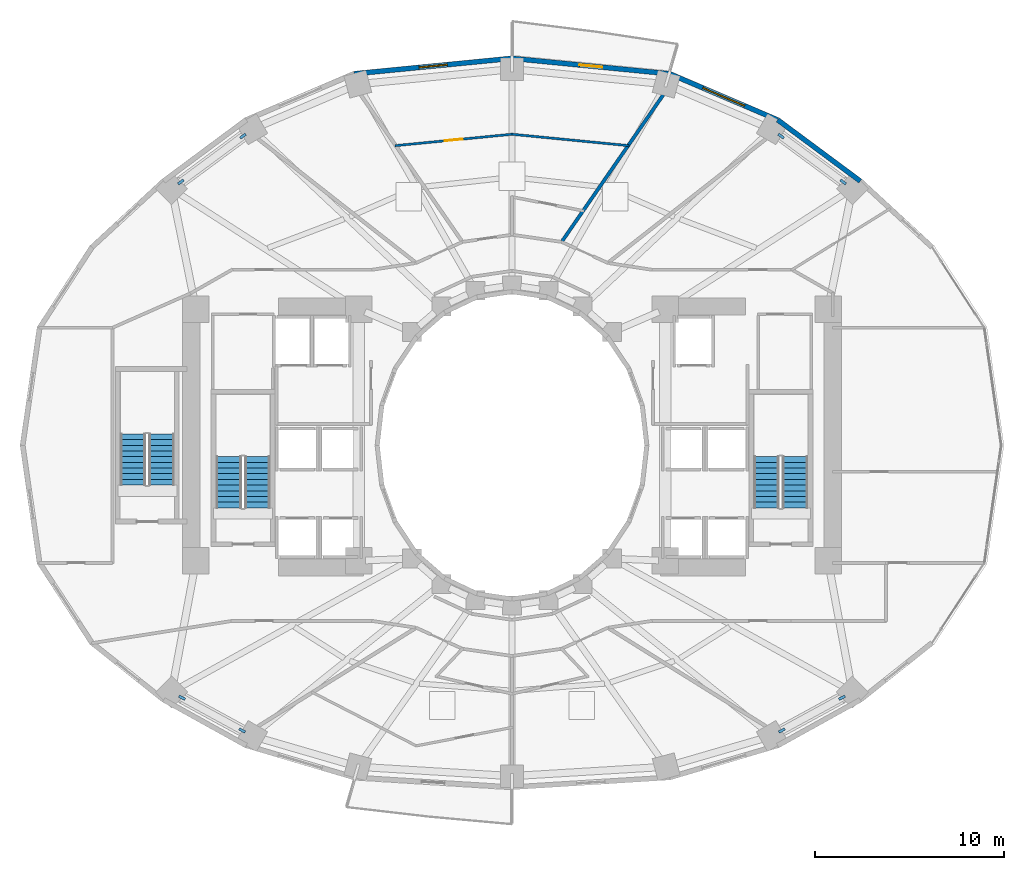
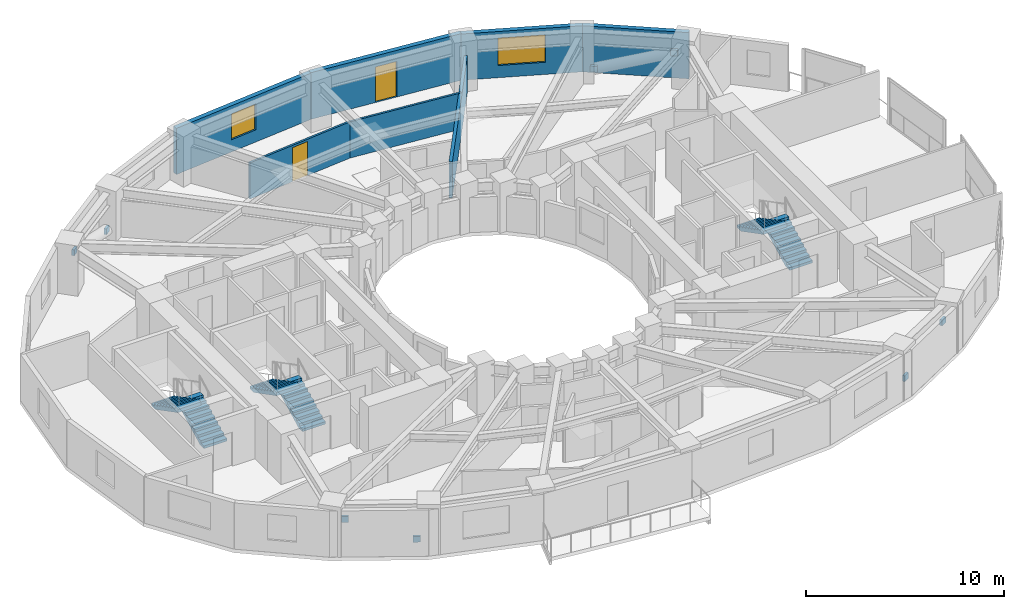
# One storey, part 11 of 14: 8 discrete accessories, 7 walls, 6 stair flights, 2 doors, 2 windows, 4 openings, 3 elements without a shape of their own.
"""IFC4 building model written with IfcOpenShell, lengths in metres."""

from ifc_helpers import new_model, si_unit, direction, frame, frame_2d, origin, origin_2d, place, context, subcontext, project, spatial, polyline, rectangle, outline, extrude, material, layer, layer_set, type_object, element, fill, aggregate, save


model = new_model("IFC4")

# Units and contexts
model_context = context("Model", 3, precision=1e-05, world=origin(), true_north=direction((0.0, 1.0)))
body_context = subcontext(model_context, "Body", "Model", "MODEL_VIEW")
ifc_project = project(units=[si_unit("LENGTHUNIT", "METRE"), si_unit("AREAUNIT", "SQUARE_METRE"), si_unit("VOLUMEUNIT", "CUBIC_METRE"), si_unit("PLANEANGLEUNIT", "RADIAN"), si_unit("MASSUNIT", "GRAM", prefix="KILO")], contexts=[model_context])

# Site, building, storey
site_placement = place(None, origin())
site = spatial("IfcSite", under=ifc_project, at=site_placement, CompositionType="ELEMENT")
building_placement = place(site_placement, origin())
building = spatial("IfcBuilding", under=site, at=building_placement, Name="Solvane Sanctuary Tower", CompositionType="ELEMENT")
storey_placement = place(building_placement, frame((0.0, 0.0, 40.0)))
storey = spatial("IfcBuildingStorey", under=building, at=storey_placement, Name="L11", CompositionType="ELEMENT", Elevation=40.0)

# Wall
ifc_material_1 = material(Name="Precast concrete C40/50", Category="concrete")
ifc_layer_1 = layer(ifc_material_1, 0.260009765625, Name="Precast concrete C40/50")
ifc_layer_set_1 = layer_set([ifc_layer_1], Name="Precast concrete C40/50")
wall_type_1 = type_object("IfcWallType", Name="Wall W-EXT-250", PredefinedType="STANDARD", material=ifc_layer_set_1)
wall_1_placement = place(storey_placement, frame((50.404541015625, 36.964599609375, 0.0), z_axis=(0.0, 0.0, 1.0), x_axis=(-0.803477531792, 0.595335078679, 0.0)))
element("IfcWall", 1, at=wall_1_placement, inside=storey, type_object=wall_type_1, Name="L11 Ceramic-Printed Facade Wall 03", PredefinedType="STANDARD", context=body_context, shape_type="SweptSolid", body=[
    extrude(rectangle(XDim=5.4296875, YDim=0.260009765625, at=frame_2d((2.71484375, 0.0))), origin(), (0.0, 0.0, 1.0), 2.85009765625),
])

# Wall, opening, window
wall_2_placement = place(storey_placement, frame((46.0419921875, 40.197021484375, 0.0), z_axis=(0.0, 0.0, 1.0), x_axis=(-0.919612132394, 0.39282760335, 0.0)))
wall_2 = element("IfcWall", 2, at=wall_2_placement, inside=storey, type_object=wall_type_1, Name="L11 Ceramic-Printed Facade Wall 04", PredefinedType="STANDARD", context=body_context, shape_type="SweptSolid", body=[
    extrude(rectangle(XDim=6.20947265625, YDim=0.260009765625, at=frame_2d((3.104736328125, 0.0))), origin(), (0.0, 0.0, 1.0), 2.85009765625),
])
opening_1_placement = place(wall_2_placement, frame((1.90478515625, 0.0, 0.75)))
opening_1 = element("IfcOpeningElement", 3, at=opening_1_placement, cuts=wall_2, Name="Opening WN-RIB-2400", PredefinedType="OPENING", context=body_context, shape_type="SweptSolid", body=[
    extrude(rectangle(XDim=2.39990234375, YDim=1.699951171875, at=frame_2d((1.199951171875, 0.85009765625))), frame((0.0, 0.139892578125, 0.0), z_axis=(0.0, -1.0, 0.0), x_axis=(1.0, 0.0, 0.0)), (0.0, 0.0, 1.0), 0.280029296875),
])
ifc_material_2 = material(Name="Dark Ceramic-Fritted Low-E Glass", Category="glass")
window_type_1 = type_object("IfcWindowType", Name="Window WN-RIB-2400", PartitioningType="SINGLE_PANEL", PredefinedType="WINDOW", material=ifc_material_2)
window_1_placement = place(opening_1_placement, origin())
window_1 = element("IfcWindow", 4, at=window_1_placement, inside=storey, type_object=window_type_1, Name="L11 Operable Facade Window 04", OverallHeight=1.699951171875, OverallWidth=2.39990234375, PartitioningType="SINGLE_PANEL", PredefinedType="WINDOW", context=body_context, shape_type="SweptSolid", body=[
    extrude(rectangle(XDim=2.39990234375, YDim=1.699951171875, at=frame_2d((1.199951171875, 0.85009765625))), frame((0.0, 0.030029296875, 0.0), z_axis=(0.0, -1.0, 0.0), x_axis=(1.0, 0.0, 0.0)), (0.0, 0.0, 1.0), 0.06005859375),
])
fill(opening_1, window_1)

# Wall, opening, door
wall_3_placement = place(storey_placement, frame((40.331787109375, 42.63623046875, 0.0), z_axis=(0.0, 0.0, 1.0), x_axis=(-0.995247718352, 0.097375454379, 0.0)))
wall_3 = element("IfcWall", 5, at=wall_3_placement, inside=storey, type_object=wall_type_1, Name="L11 Balcony Facade Wall NC", PredefinedType="STANDARD", context=body_context, shape_type="SweptSolid", body=[
    extrude(rectangle(XDim=8.37158203125, YDim=0.260009765625, at=frame_2d((4.185791015625, 0.0))), origin(), (0.0, 0.0, 1.0), 2.8798828125),
])
opening_2_placement = place(wall_3_placement, frame((3.585693359375, 0.0, 0.0)))
opening_2 = element("IfcOpeningElement", 6, at=opening_2_placement, cuts=wall_3, Name="Opening D-L11-01", PredefinedType="OPENING", context=body_context, shape_type="SweptSolid", body=[
    extrude(rectangle(XDim=1.199951171875, YDim=2.199951171875, at=frame_2d((0.60009765625, 1.10009765625))), frame((0.0, 0.139892578125, 0.0), z_axis=(0.0, -1.0, 0.0), x_axis=(1.0, 0.0, 0.0)), (0.0, 0.0, 1.0), 0.280029296875),
])
ifc_material_3 = material(Name="Anodised Aluminium 6063-T6", Category="aluminium")
door_type_1 = type_object("IfcDoorType", Name="Door D-BALC-1200", OperationType="NOTDEFINED", PredefinedType="DOOR", material=ifc_material_3)
door_1_placement = place(opening_2_placement, origin())
door_1 = element("IfcDoor", 7, at=door_1_placement, inside=storey, type_object=door_type_1, Name="L11 Glazed Balcony Door NC", OperationType="SINGLE_SWING_RIGHT", OverallHeight=2.199951171875, OverallWidth=1.199951171875, PredefinedType="DOOR", context=body_context, shape_type="SweptSolid", body=[
    extrude(rectangle(XDim=1.199951171875, YDim=2.199951171875, at=frame_2d((0.60009765625, 1.10009765625))), frame((0.0, 0.02490234375, 0.0), z_axis=(0.0, -1.0, 0.0), x_axis=(1.0, 0.0, 0.0)), (0.0, 0.0, 1.0), 0.050048828125),
])
fill(opening_2, door_1)

# Wall, opening, window
wall_4_placement = place(storey_placement, frame((32.0, 43.451416015625, 0.0), z_axis=(0.0, 0.0, 1.0), x_axis=(-0.995247718352, -0.097375454379, 0.0)))
wall_4 = element("IfcWall", 8, at=wall_4_placement, inside=storey, type_object=wall_type_1, Name="L11 Ceramic-Printed Facade Wall 06", PredefinedType="STANDARD", context=body_context, shape_type="SweptSolid", body=[
    extrude(rectangle(XDim=8.37158203125, YDim=0.260009765625, at=frame_2d((4.185791015625, 0.0))), origin(), (0.0, 0.0, 1.0), 2.85009765625),
])
opening_3_placement = place(wall_4_placement, frame((3.435791015625, 0.0, 0.75)))
opening_3 = element("IfcOpeningElement", 9, at=opening_3_placement, cuts=wall_4, Name="Opening WN-OPER-1500", PredefinedType="OPENING", context=body_context, shape_type="SweptSolid", body=[
    extrude(rectangle(XDim=1.5, YDim=1.60009765625, at=frame_2d((0.75, 0.800048828125))), frame((0.0, 0.139892578125, 0.0), z_axis=(0.0, -1.0, 0.0), x_axis=(1.0, 0.0, 0.0)), (0.0, 0.0, 1.0), 0.280029296875),
])
window_type_2 = type_object("IfcWindowType", Name="Window WN-OPER-1500", PartitioningType="SINGLE_PANEL", PredefinedType="WINDOW", material=ifc_material_2)
window_2_placement = place(opening_3_placement, origin())
window_2 = element("IfcWindow", 10, at=window_2_placement, inside=storey, type_object=window_type_2, Name="L11 Operable Facade Window 06", OverallHeight=1.60009765625, OverallWidth=1.5, PartitioningType="SINGLE_PANEL", PredefinedType="WINDOW", context=body_context, shape_type="SweptSolid", body=[
    extrude(rectangle(XDim=1.5, YDim=1.60009765625, at=frame_2d((0.75, 0.800048828125))), frame((0.0, 0.030029296875, 0.0), z_axis=(0.0, -1.0, 0.0), x_axis=(1.0, 0.0, 0.0)), (0.0, 0.0, 1.0), 0.06005859375),
])
fill(opening_3, window_2)

# Wall
ifc_material_4 = material(Name="Acoustic Gypsum Partition Board")
ifc_layer_2 = layer(ifc_material_4, 0.1201171875, Name="Acoustic Gypsum Partition Board")
ifc_layer_set_2 = layer_set([ifc_layer_2], Name="Acoustic Gypsum Partition Board")
wall_type_2 = type_object("IfcWallType", Name="Wall W-MOV-100", PredefinedType="MOVABLE", material=ifc_layer_set_2)
wall_5_placement = place(storey_placement, frame((38.189697265625, 38.835205078125, 0.0), z_axis=(0.0, 0.0, 1.0), x_axis=(-0.995257435484, 0.097276087063, 0.0)))
element("IfcWall", 11, at=wall_5_placement, inside=storey, type_object=wall_type_2, Name="L11 Suite Sitting Lounge Partition N2", PredefinedType="MOVABLE", context=body_context, shape_type="SweptSolid", body=[
    extrude(rectangle(XDim=6.229248046875, YDim=0.1201171875, at=frame_2d((3.11474609375, 0.0))), origin(), (0.0, 0.0, 1.0), 2.237060546875),
])

# Wall, opening, door
wall_6_placement = place(storey_placement, frame((32.010009765625, 39.441162109375, 0.0), z_axis=(0.0, 0.0, 1.0), x_axis=(-0.995257435484, -0.097276087063, 0.0)))
wall_6 = element("IfcWall", 12, at=wall_6_placement, inside=storey, type_object=wall_type_2, Name="L11 Suite Sitting Lounge Partition N2", PredefinedType="MOVABLE", context=body_context, shape_type="SweptSolid", body=[
    extrude(rectangle(XDim=6.229248046875, YDim=0.1201171875, at=frame_2d((3.11474609375, 0.0))), origin(), (0.0, 0.0, 1.0), 2.237060546875),
])
opening_4_placement = place(wall_6_placement, frame((2.6396484375, 0.0, 0.0)))
opening_4 = element("IfcOpeningElement", 13, at=opening_4_placement, cuts=wall_6, Name="Opening D-L11-19", PredefinedType="OPENING", context=body_context, shape_type="SweptSolid", body=[
    extrude(rectangle(XDim=0.949951171875, YDim=2.10009765625, at=frame_2d((0.47509765625, 1.050048828125))), frame((0.0, 0.070068359375, 0.0), z_axis=(0.0, -1.0, 0.0), x_axis=(1.0, 0.0, 0.0)), (0.0, 0.0, 1.0), 0.14013671875),
])
ifc_material_5 = material(Name="Engineered Tropical Hardwood", Category="wood")
door_type_2 = type_object("IfcDoorType", Name="Door D-ROOM-950", OperationType="NOTDEFINED", PredefinedType="DOOR", material=ifc_material_5)
door_2_placement = place(opening_4_placement, origin())
door_2 = element("IfcDoor", 14, at=door_2_placement, inside=storey, type_object=door_type_2, Name="L11 Suite Sitting Lounge Door N2", OperationType="SINGLE_SWING_LEFT", OverallHeight=2.10009765625, OverallWidth=0.949951171875, PredefinedType="DOOR", context=body_context, shape_type="SweptSolid", body=[
    extrude(rectangle(XDim=0.949951171875, YDim=2.10009765625, at=frame_2d((0.47509765625, 1.050048828125))), frame((0.0, 0.02490234375, 0.0), z_axis=(0.0, -1.0, 0.0), x_axis=(1.0, 0.0, 0.0)), (0.0, 0.0, 1.0), 0.050048828125),
])
fill(opening_4, door_2)

# Wall
ifc_layer_3 = layer(ifc_material_4, 0.179931640625, Name="Acoustic Gypsum Partition Board")
ifc_layer_set_3 = layer_set([ifc_layer_3], Name="Acoustic Gypsum Partition Board")
wall_type_3 = type_object("IfcWallType", Name="Wall W-UNIT-180", PredefinedType="PARTITIONING", material=ifc_layer_set_3)
wall_7_placement = place(storey_placement, frame((34.653076171875, 33.7958984375, 0.0), z_axis=(0.0, 0.0, 1.0), x_axis=(0.568631434817, 0.822592421153, 0.0)))
element("IfcWall", 15, at=wall_7_placement, inside=storey, type_object=wall_type_3, Name="L11 Radial Compartment Wall 075", PredefinedType="PARTITIONING", context=body_context, shape_type="SweptSolid", body=[
    extrude(rectangle(XDim=9.39404296875, YDim=0.179931640625, at=frame_2d((4.697021484375, 0.0))), origin(), (0.0, 0.0, 1.0), 2.237060546875),
])

# Stair, stair flights
ifc_material_6 = material(Name="Concrete C45/55", Category="concrete")
stair_type = type_object("IfcStairType", Name="Stair ST-TOW", PredefinedType="HALF_TURN_STAIR", material=ifc_material_6)
stair_1_placement = place(storey_placement, origin())
stair_1 = element("IfcStair", 16, at=stair_1_placement, inside=storey, type_object=stair_type, Name="L11 Exit Stair ST-1 West Core", PredefinedType="HALF_TURN_STAIR")
stair_flight_type = type_object("IfcStairFlightType", Name="StairFlight SF-TOW", PredefinedType="STRAIGHT", material=ifc_material_6)
stair_flight_1_placement = place(storey_placement, frame((18.544921875, 19.699951171875, 0.0), z_axis=(0.0, 0.0, 1.0), x_axis=(0.0, 1.0, 0.0)))
stair_flight_1 = element("IfcStairFlight", 17, at=stair_flight_1_placement, type_object=stair_flight_type, Name="ST-1 flight 1", NumberOfRisers=10, NumberOfTreads=9, PredefinedType="STRAIGHT", RiserHeight=0.155, TreadLength=0.3, context=body_context, shape_type="SweptSolid", body=[
    extrude(outline(polyline([(0.0, 0.0), (0.0, 0.155029296875), (0.300048828125, 0.155029296875), (0.300048828125, 0.31005859375), (0.60009765625, 0.31005859375), (0.60009765625, 0.465087890625), (0.89990234375, 0.465087890625), (0.89990234375, 0.6201171875), (1.199951171875, 0.6201171875), (1.199951171875, 0.77490234375), (1.5, 0.77490234375), (1.5, 0.929931640625), (1.800048828125, 0.929931640625), (1.800048828125, 1.0849609375), (2.10009765625, 1.0849609375), (2.10009765625, 1.239990234375), (2.39990234375, 1.239990234375), (2.39990234375, 1.39501953125), (2.699951171875, 1.39501953125), (2.699951171875, 1.550048828125), (2.699951171875, 1.1923828125), (0.39208984375, 0.0), (0.0, 0.0)])), frame((0.0, 0.675048828125, 0.0), z_axis=(0.0, -1.0, 0.0), x_axis=(1.0, 0.0, 0.0)), (0.0, 0.0, 1.0), 1.35009765625),
])
stair_flight_2_placement = place(storey_placement, frame((17.034912109375, 22.39990234375, 1.550048828125), z_axis=(0.0, 0.0, 1.0), x_axis=(0.0, -1.0, 0.0)))
stair_flight_2 = element("IfcStairFlight", 18, at=stair_flight_2_placement, type_object=stair_flight_type, Name="ST-1 flight 2", NumberOfRisers=10, NumberOfTreads=9, PredefinedType="STRAIGHT", RiserHeight=0.155, TreadLength=0.3, context=body_context, shape_type="SweptSolid", body=[
    extrude(outline(polyline([(0.0, 0.0), (0.0, 0.155029296875), (0.300048828125, 0.155029296875), (0.300048828125, 0.31005859375), (0.60009765625, 0.31005859375), (0.60009765625, 0.465087890625), (0.89990234375, 0.465087890625), (0.89990234375, 0.6201171875), (1.199951171875, 0.6201171875), (1.199951171875, 0.77490234375), (1.5, 0.77490234375), (1.5, 0.929931640625), (1.800048828125, 0.929931640625), (1.800048828125, 1.0849609375), (2.10009765625, 1.0849609375), (2.10009765625, 1.239990234375), (2.39990234375, 1.239990234375), (2.39990234375, 1.39501953125), (2.699951171875, 1.39501953125), (2.699951171875, 1.550048828125), (2.699951171875, 1.1923828125), (0.39208984375, 0.0), (0.0, 0.0)])), frame((0.0, 0.675048828125, 0.0), z_axis=(0.0, -1.0, 0.0), x_axis=(1.0, 0.0, 0.0)), (0.0, 0.0, 1.0), 1.35009765625),
])
aggregate(stair_1, [stair_flight_1, stair_flight_2])

stair_2_placement = place(storey_placement, origin())
stair_2 = element("IfcStair", 19, at=stair_2_placement, inside=storey, type_object=stair_type, Name="L11 Exit Stair ST-2 East Core", PredefinedType="HALF_TURN_STAIR")
stair_flight_3_placement = place(storey_placement, frame((46.965087890625, 19.699951171875, 0.0), z_axis=(0.0, 0.0, 1.0), x_axis=(0.0, 1.0, 0.0)))
stair_flight_3 = element("IfcStairFlight", 20, at=stair_flight_3_placement, type_object=stair_flight_type, Name="ST-2 flight 1", NumberOfRisers=10, NumberOfTreads=9, PredefinedType="STRAIGHT", RiserHeight=0.155, TreadLength=0.3, context=body_context, shape_type="SweptSolid", body=[
    extrude(outline(polyline([(0.0, 0.0), (0.0, 0.155029296875), (0.300048828125, 0.155029296875), (0.300048828125, 0.31005859375), (0.60009765625, 0.31005859375), (0.60009765625, 0.465087890625), (0.89990234375, 0.465087890625), (0.89990234375, 0.6201171875), (1.199951171875, 0.6201171875), (1.199951171875, 0.77490234375), (1.5, 0.77490234375), (1.5, 0.929931640625), (1.800048828125, 0.929931640625), (1.800048828125, 1.0849609375), (2.10009765625, 1.0849609375), (2.10009765625, 1.239990234375), (2.39990234375, 1.239990234375), (2.39990234375, 1.39501953125), (2.699951171875, 1.39501953125), (2.699951171875, 1.550048828125), (2.699951171875, 1.1923828125), (0.39208984375, 0.0), (0.0, 0.0)])), frame((0.0, 0.675048828125, 0.0), z_axis=(0.0, -1.0, 0.0), x_axis=(1.0, 0.0, 0.0)), (0.0, 0.0, 1.0), 1.35009765625),
])
stair_flight_4_placement = place(storey_placement, frame((45.455078125, 22.39990234375, 1.550048828125), z_axis=(0.0, 0.0, 1.0), x_axis=(0.0, -1.0, 0.0)))
stair_flight_4 = element("IfcStairFlight", 21, at=stair_flight_4_placement, type_object=stair_flight_type, Name="ST-2 flight 2", NumberOfRisers=10, NumberOfTreads=9, PredefinedType="STRAIGHT", RiserHeight=0.155, TreadLength=0.3, context=body_context, shape_type="SweptSolid", body=[
    extrude(outline(polyline([(0.0, 0.0), (0.0, 0.155029296875), (0.300048828125, 0.155029296875), (0.300048828125, 0.31005859375), (0.60009765625, 0.31005859375), (0.60009765625, 0.465087890625), (0.89990234375, 0.465087890625), (0.89990234375, 0.6201171875), (1.199951171875, 0.6201171875), (1.199951171875, 0.77490234375), (1.5, 0.77490234375), (1.5, 0.929931640625), (1.800048828125, 0.929931640625), (1.800048828125, 1.0849609375), (2.10009765625, 1.0849609375), (2.10009765625, 1.239990234375), (2.39990234375, 1.239990234375), (2.39990234375, 1.39501953125), (2.699951171875, 1.39501953125), (2.699951171875, 1.550048828125), (2.699951171875, 1.1923828125), (0.39208984375, 0.0), (0.0, 0.0)])), frame((0.0, 0.675048828125, 0.0), z_axis=(0.0, -1.0, 0.0), x_axis=(1.0, 0.0, 0.0)), (0.0, 0.0, 1.0), 1.35009765625),
])
aggregate(stair_2, [stair_flight_3, stair_flight_4])

stair_3_placement = place(storey_placement, origin())
stair_3 = element("IfcStair", 22, at=stair_3_placement, inside=storey, type_object=stair_type, Name="L11 Exit Stair ST-3 Pilgrim Tower Stair", PredefinedType="HALF_TURN_STAIR")
stair_flight_5_placement = place(storey_placement, frame((13.485107421875, 20.89990234375, 0.0), z_axis=(0.0, 0.0, 1.0), x_axis=(0.0, 1.0, 0.0)))
stair_flight_5 = element("IfcStairFlight", 23, at=stair_flight_5_placement, type_object=stair_flight_type, Name="ST-3 flight 1", NumberOfRisers=10, NumberOfTreads=9, PredefinedType="STRAIGHT", RiserHeight=0.155, TreadLength=0.3, context=body_context, shape_type="SweptSolid", body=[
    extrude(outline(polyline([(0.0, 0.0), (0.0, 0.155029296875), (0.300048828125, 0.155029296875), (0.300048828125, 0.31005859375), (0.60009765625, 0.31005859375), (0.60009765625, 0.465087890625), (0.89990234375, 0.465087890625), (0.89990234375, 0.6201171875), (1.199951171875, 0.6201171875), (1.199951171875, 0.77490234375), (1.5, 0.77490234375), (1.5, 0.929931640625), (1.800048828125, 0.929931640625), (1.800048828125, 1.0849609375), (2.10009765625, 1.0849609375), (2.10009765625, 1.239990234375), (2.39990234375, 1.239990234375), (2.39990234375, 1.39501953125), (2.699951171875, 1.39501953125), (2.699951171875, 1.550048828125), (2.699951171875, 1.1923828125), (0.39208984375, 0.0), (0.0, 0.0)])), frame((0.0, 0.675048828125, 0.0), z_axis=(0.0, -1.0, 0.0), x_axis=(1.0, 0.0, 0.0)), (0.0, 0.0, 1.0), 1.35009765625),
])
stair_flight_6_placement = place(storey_placement, frame((11.97509765625, 23.60009765625, 1.550048828125), z_axis=(0.0, 0.0, 1.0), x_axis=(0.0, -1.0, 0.0)))
stair_flight_6 = element("IfcStairFlight", 24, at=stair_flight_6_placement, type_object=stair_flight_type, Name="ST-3 flight 2", NumberOfRisers=10, NumberOfTreads=9, PredefinedType="STRAIGHT", RiserHeight=0.155, TreadLength=0.3, context=body_context, shape_type="SweptSolid", body=[
    extrude(outline(polyline([(0.0, 0.0), (0.0, 0.155029296875), (0.300048828125, 0.155029296875), (0.300048828125, 0.31005859375), (0.60009765625, 0.31005859375), (0.60009765625, 0.465087890625), (0.89990234375, 0.465087890625), (0.89990234375, 0.6201171875), (1.199951171875, 0.6201171875), (1.199951171875, 0.77490234375), (1.5, 0.77490234375), (1.5, 0.929931640625), (1.800048828125, 0.929931640625), (1.800048828125, 1.0849609375), (2.10009765625, 1.0849609375), (2.10009765625, 1.239990234375), (2.39990234375, 1.239990234375), (2.39990234375, 1.39501953125), (2.699951171875, 1.39501953125), (2.699951171875, 1.550048828125), (2.699951171875, 1.1923828125), (0.39208984375, 0.0), (0.0, 0.0)])), frame((0.0, 0.675048828125, 0.0), z_axis=(0.0, -1.0, 0.0), x_axis=(1.0, 0.0, 0.0)), (0.0, 0.0, 1.0), 1.35009765625),
])
aggregate(stair_3, [stair_flight_5, stair_flight_6])

# Discrete accessories
ifc_material_7 = material(Name="Steel ASTM A572 Grade 50", Category="steel")
ifc_layer_4 = layer(ifc_material_7, 0.360107421875, Name="Steel ASTM A572 Grade 50")
ifc_layer_set_4 = layer_set([ifc_layer_4], Name="Steel ASTM A572 Grade 50")
discrete_accessory_type = type_object("IfcDiscreteAccessoryType", Name="Accessory ACC-GUSSET-BRK", PredefinedType="BRACKET", material=ifc_layer_set_4)
for number, where, z_axis, x_axis, name in (
    (25, (46.216796875, 39.34228515625, 0.3974609375), (0.0, 0.0, 1.0), (0.804271929332, -0.594261443885, 0.0), "L11 Perimeter Braced-Tube Diagonal NE End Gusset Bracket A"),
    (26, (49.499755859375, 36.9169921875, 1.720703125), (0.0, 0.0, 1.0), (0.804271929332, -0.594261443885, 0.0), "L11 Perimeter Braced-Tube Diagonal NE End Gusset Bracket B"),
    (27, (17.783203125, 39.34228515625, 0.3974609375), (0.0, 0.0, 1.0), (-0.804271929332, -0.594261443885, 0.0), "L11 Perimeter Braced-Tube Diagonal NW End Gusset Bracket A"),
    (28, (14.500244140625, 36.9169921875, 1.720703125), (0.0, 0.0, 1.0), (-0.804271929332, -0.594261443885, 0.0), "L11 Perimeter Braced-Tube Diagonal NW End Gusset Bracket B"),
    (29, (17.74169921875, 7.929931640625, 0.4140625), (0.0, 0.0, 1.0), (-0.878066509545, 0.478538613714, 0.0), "L11 Perimeter Braced-Tube Diagonal SW End Gusset Bracket A"),
    (30, (14.561767578125, 9.6630859375, 1.69580078125), (0.0, 0.0, 1.0), (-0.878066509545, 0.478538613714, 0.0), "L11 Perimeter Braced-Tube Diagonal SW End Gusset Bracket B"),
    (31, (46.25830078125, 7.929931640625, 0.4140625), (0.0, 0.0, 1.0), (0.878066509545, 0.478538613714, 0.0), "L11 Perimeter Braced-Tube Diagonal SE End Gusset Bracket A"),
    (32, (49.438232421875, 9.6630859375, 1.69580078125), (0.0, 0.0, 1.0), (0.878066509545, 0.478538613714, 0.0), "L11 Perimeter Braced-Tube Diagonal SE End Gusset Bracket B"),
):
    element("IfcDiscreteAccessory", number, at=place(storey_placement, frame(where, z_axis=z_axis, x_axis=x_axis)), inside=storey, type_object=discrete_accessory_type, Name=name, PredefinedType="BRACKET", context=body_context, shape_type="SweptSolid", body=[
        extrude(rectangle(XDim=0.360107421875, YDim=0.139892578125, at=origin_2d()), origin(), (0.0, 0.0, 1.0), 0.360107421875),
    ])

save(model, "model.ifc")
